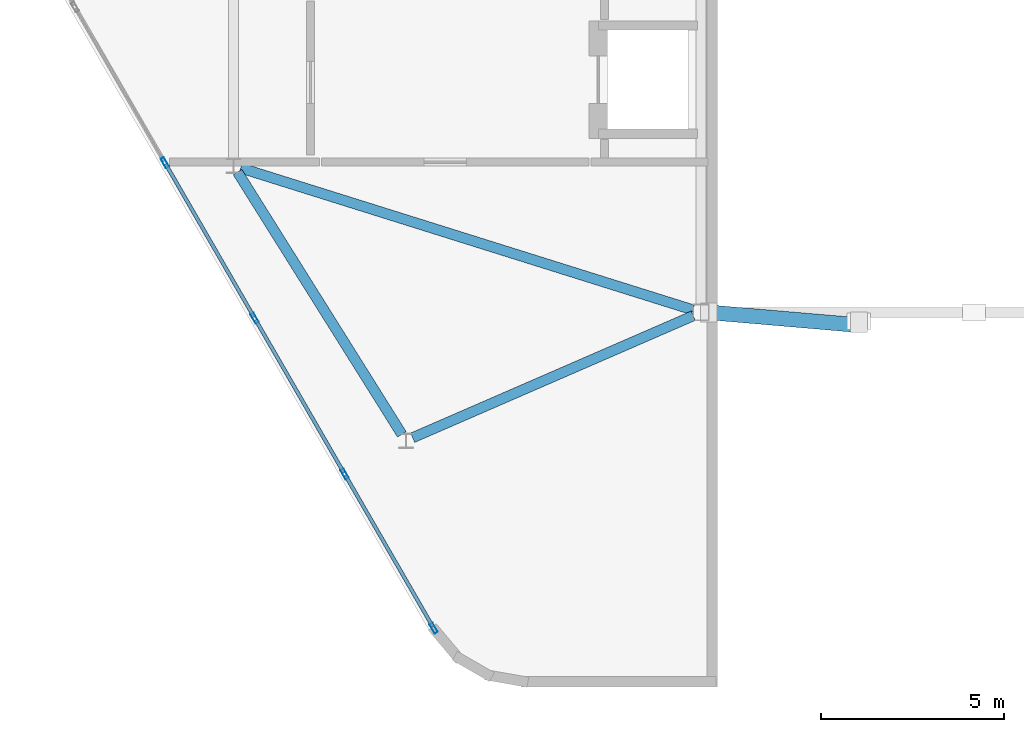
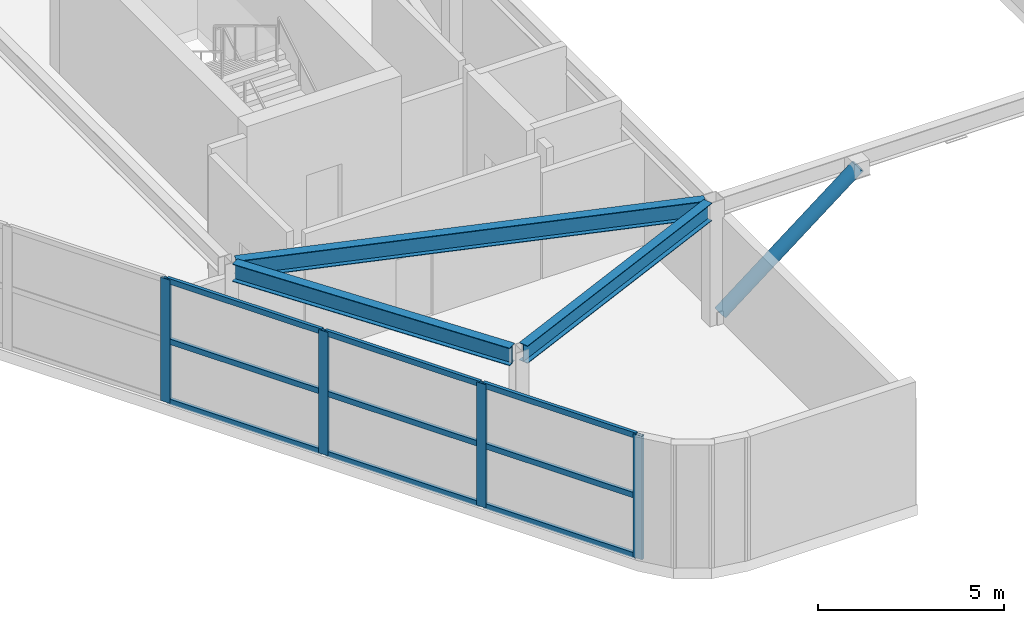
# One storey, part 3 of 16: 14 members, 3 beams, 1 element without a shape of its own.
"""IFC4 building model written with IfcOpenShell, lengths in metres."""

from ifc_helpers import new_model, si_unit, direction, frame, origin, origin_2d, place, context, subcontext, project, spatial, hollow_rectangle, hollow_circle, i_section, extrude, material, material_profile, profile_set, type_object, element, aggregate, save


model = new_model("IFC4")

# Units and contexts
model_context = context("Model", 3, precision=1e-05, world=origin(), true_north=direction((0.0, 1.0)))
body_context = subcontext(model_context, "Body", "Model", "MODEL_VIEW")
ifc_project = project(units=[si_unit("LENGTHUNIT", "METRE"), si_unit("AREAUNIT", "SQUARE_METRE"), si_unit("VOLUMEUNIT", "CUBIC_METRE"), si_unit("PLANEANGLEUNIT", "RADIAN"), si_unit("MASSUNIT", "GRAM", prefix="KILO")], contexts=[model_context])

# Site, building, storey
site_placement = place(None, origin())
site = spatial("IfcSite", under=ifc_project, at=site_placement, CompositionType="ELEMENT")
building_placement = place(site_placement, origin())
building = spatial("IfcBuilding", under=site, at=building_placement, Name="Zuhravey Tower", CompositionType="ELEMENT")
storey_placement = place(building_placement, frame((0.0, 0.0, 365.800048828125)))
storey = spatial("IfcBuildingStorey", under=building, at=storey_placement, Name="L93", CompositionType="ELEMENT", Elevation=365.800048828125)

# Curtain wall, members
ifc_material_1 = material(Name="Thermally broken anodised aluminium", Category="aluminium")
curtain_wall_type = type_object("IfcCurtainWallType", Name="Split-Top Crown Screened Curtain Wall CW6", PredefinedType="NOTDEFINED", material=ifc_material_1)
curtain_wall_placement = place(storey_placement, origin())
curtain_wall = element("IfcCurtainWall", 1, at=curtain_wall_placement, inside=storey, type_object=curtain_wall_type, Name="L93 CW6 CW6-L93-WEST-04", PredefinedType="NOTDEFINED")
ifc_material_2 = material(Name="Anodised aluminium", Category="aluminium")
ifc_material_profile_1 = material_profile(ifc_material_2, hollow_rectangle(XDim=0.10009765625, YDim=0.2900390625, WallThickness=0.006103515625, at=origin_2d()), Name="ALU-RHS-100x290x6")
ifc_profile_set_1 = profile_set([ifc_material_profile_1], Name="Anodised aluminium")
member_type_1 = type_object("IfcMemberType", Name="Heavy Tall-Storey Mullion 100x220", PredefinedType="MULLION", material=ifc_profile_set_1)
member_1_placement = place(storey_placement, frame((21.258544921875, 9.384765625, 0.0), z_axis=(0.0, 0.0, 1.0), x_axis=(-0.866027063754, -0.499997124838, 0.0)))
member_1 = element("IfcMember", 2, at=member_1_placement, type_object=member_type_1, Name="CW6 mullion 1", PredefinedType="MULLION", context=body_context, shape_type="SweptSolid", body=[
    extrude(hollow_rectangle(XDim=0.10009765625, YDim=0.2900390625, WallThickness=0.006103515625, at=origin_2d()), origin(), (0.0, 0.0, 1.0), 4.050048828125),
])
member_2_placement = place(storey_placement, frame((18.83056640625, 13.590087890625, 0.0), z_axis=(0.0, 0.0, 1.0), x_axis=(-0.866027063754, -0.499997124838, 0.0)))
member_2 = element("IfcMember", 3, at=member_2_placement, type_object=member_type_1, Name="CW6 mullion 2", PredefinedType="MULLION", context=body_context, shape_type="SweptSolid", body=[
    extrude(hollow_rectangle(XDim=0.10009765625, YDim=0.2900390625, WallThickness=0.006103515625, at=origin_2d()), origin(), (0.0, 0.0, 1.0), 4.050048828125),
])
member_3_placement = place(storey_placement, frame((16.377685546875, 17.838623046875, 0.0), z_axis=(0.0, 0.0, 1.0), x_axis=(-0.866027063754, -0.499997124838, 0.0)))
member_3 = element("IfcMember", 4, at=member_3_placement, type_object=member_type_1, Name="CW6 mullion 3", PredefinedType="MULLION", context=body_context, shape_type="SweptSolid", body=[
    extrude(hollow_rectangle(XDim=0.10009765625, YDim=0.2900390625, WallThickness=0.006103515625, at=origin_2d()), origin(), (0.0, 0.0, 1.0), 4.050048828125),
])
member_4_placement = place(storey_placement, frame((13.9248046875, 22.087158203125, 0.0), z_axis=(0.0, 0.0, 1.0), x_axis=(-0.866027063754, -0.499997124838, 0.0)))
member_4 = element("IfcMember", 5, at=member_4_placement, type_object=member_type_1, Name="CW6 mullion 4", PredefinedType="MULLION", context=body_context, shape_type="SweptSolid", body=[
    extrude(hollow_rectangle(XDim=0.10009765625, YDim=0.2900390625, WallThickness=0.006103515625, at=origin_2d()), origin(), (0.0, 0.0, 1.0), 4.050048828125),
])

# Beams
ifc_material_3 = material(Name="Steel SM355", Category="steel")
ifc_material_profile_2 = material_profile(ifc_material_3, i_section(OverallWidth=0.280029296875, OverallDepth=0.580078125, WebThickness=0.011962890625, FlangeThickness=0.01904296875, at=origin_2d()), Name="H-580x280x12x19")
ifc_profile_set_2 = profile_set([ifc_material_profile_2], Name="Steel SM355")
beam_type = type_object("IfcBeamType", Name="Perimeter Ring Beam H580x280", PredefinedType="BEAM", material=ifc_profile_set_2)
beam_1_placement = place(storey_placement, frame((15.908447265625, 21.8271484375, 3.760009765625), z_axis=(0.530996685116, -0.847373896457, 0.0), x_axis=(0.847373896457, 0.530996685116, 0.0)))
element("IfcBeam", 6, at=beam_1_placement, inside=storey, type_object=beam_type, Name="L93 PB4 BM-L93-WCR-0-2", PredefinedType="BEAM", context=body_context, shape_type="SweptSolid", body=[
    extrude(i_section(OverallWidth=0.280029296875, OverallDepth=0.580078125, WebThickness=0.011962890625, FlangeThickness=0.01904296875, at=origin_2d()), origin(), (0.0, 0.0, 1.0), 8.44287109375),
])
beam_2_placement = place(storey_placement, frame((20.68701171875, 14.581298828125, 3.760009765625), z_axis=(0.91707145158, 0.398722902147, 0.0), x_axis=(-0.398722902147, 0.91707145158, 0.0)))
element("IfcBeam", 7, at=beam_2_placement, inside=storey, type_object=beam_type, Name="L93 PB4 BM-L93-WCR-2-4", PredefinedType="BEAM", context=body_context, shape_type="SweptSolid", body=[
    extrude(i_section(OverallWidth=0.280029296875, OverallDepth=0.580078125, WebThickness=0.011962890625, FlangeThickness=0.01904296875, at=origin_2d()), origin(), (0.0, 0.0, 1.0), 8.34521484375),
])
beam_3_placement = place(storey_placement, frame((15.99462890625, 21.93896484375, 3.760009765625), z_axis=(0.954147439285, -0.299337040984, 0.0), x_axis=(0.299337040984, 0.954147439285, 0.0)))
element("IfcBeam", 8, at=beam_3_placement, inside=storey, type_object=beam_type, Name="L93 PB4 BM-L93-WCR-0-4", PredefinedType="BEAM", context=body_context, shape_type="SweptSolid", body=[
    extrude(i_section(OverallWidth=0.280029296875, OverallDepth=0.580078125, WebThickness=0.011962890625, FlangeThickness=0.01904296875, at=origin_2d()), origin(), (0.0, 0.0, 1.0), 12.9296875),
])

# Member
ifc_material_profile_3 = material_profile(ifc_material_2, hollow_rectangle(XDim=0.10009765625, YDim=0.179931640625, WallThickness=0.006103515625, at=origin_2d()), Name="ALU-RHS-100x180x6")
ifc_profile_set_3 = profile_set([ifc_material_profile_3], Name="Anodised aluminium")
member_type_2 = type_object("IfcMemberType", Name="Tall-Storey Transom 100x180", PredefinedType="USERDEFINED", material=ifc_profile_set_3)
member_5_placement = place(storey_placement, frame((21.2333984375, 9.42822265625, 0.050048828125), z_axis=(-0.499965384433, 0.866045388169, 0.0), x_axis=(-0.866045388169, -0.499965384433, 0.0)))
member_5 = element("IfcMember", 9, at=member_5_placement, type_object=member_type_2, Name="CW6 transom 1.1", ObjectType="TRANSOM", PredefinedType="USERDEFINED", context=body_context, shape_type="SweptSolid", body=[
    extrude(hollow_rectangle(XDim=0.10009765625, YDim=0.179931640625, WallThickness=0.006103515625, at=origin_2d()), origin(), (0.0, 0.0, 1.0), 4.755615234375),
])

member_6_placement = place(storey_placement, frame((21.2333984375, 9.42822265625, 2.02490234375), z_axis=(-0.499965384433, 0.866045388169, 0.0), x_axis=(-0.866045388169, -0.499965384433, 0.0)))
member_6 = element("IfcMember", 10, at=member_6_placement, type_object=member_type_2, Name="CW6 transom 1.2", ObjectType="TRANSOM", PredefinedType="USERDEFINED", context=body_context, shape_type="SweptSolid", body=[
    extrude(hollow_rectangle(XDim=0.10009765625, YDim=0.179931640625, WallThickness=0.006103515625, at=origin_2d()), origin(), (0.0, 0.0, 1.0), 4.755615234375),
])

member_7_placement = place(storey_placement, frame((21.2333984375, 9.42822265625, 4.0), z_axis=(-0.499965384433, 0.866045388169, 0.0), x_axis=(-0.866045388169, -0.499965384433, 0.0)))
member_7 = element("IfcMember", 11, at=member_7_placement, type_object=member_type_2, Name="CW6 transom 1.3", ObjectType="TRANSOM", PredefinedType="USERDEFINED", context=body_context, shape_type="SweptSolid", body=[
    extrude(hollow_rectangle(XDim=0.10009765625, YDim=0.179931640625, WallThickness=0.006103515625, at=origin_2d()), origin(), (0.0, 0.0, 1.0), 4.755615234375),
])

member_8_placement = place(storey_placement, frame((18.8056640625, 13.63330078125, 0.050048828125), z_axis=(-0.500012672123, 0.866018087407, 0.0), x_axis=(-0.866018087407, -0.500012672123, 0.0)))
member_8 = element("IfcMember", 12, at=member_8_placement, type_object=member_type_2, Name="CW6 transom 2.1", ObjectType="TRANSOM", PredefinedType="USERDEFINED", context=body_context, shape_type="SweptSolid", body=[
    extrude(hollow_rectangle(XDim=0.10009765625, YDim=0.179931640625, WallThickness=0.006103515625, at=origin_2d()), origin(), (0.0, 0.0, 1.0), 4.80615234375),
])

member_9_placement = place(storey_placement, frame((18.8056640625, 13.63330078125, 2.02490234375), z_axis=(-0.500012672123, 0.866018087407, 0.0), x_axis=(-0.866018087407, -0.500012672123, 0.0)))
member_9 = element("IfcMember", 13, at=member_9_placement, type_object=member_type_2, Name="CW6 transom 2.2", ObjectType="TRANSOM", PredefinedType="USERDEFINED", context=body_context, shape_type="SweptSolid", body=[
    extrude(hollow_rectangle(XDim=0.10009765625, YDim=0.179931640625, WallThickness=0.006103515625, at=origin_2d()), origin(), (0.0, 0.0, 1.0), 4.80615234375),
])

member_10_placement = place(storey_placement, frame((18.8056640625, 13.63330078125, 4.0), z_axis=(-0.500012672123, 0.866018087407, 0.0), x_axis=(-0.866018087407, -0.500012672123, 0.0)))
member_10 = element("IfcMember", 14, at=member_10_placement, type_object=member_type_2, Name="CW6 transom 2.3", ObjectType="TRANSOM", PredefinedType="USERDEFINED", context=body_context, shape_type="SweptSolid", body=[
    extrude(hollow_rectangle(XDim=0.10009765625, YDim=0.179931640625, WallThickness=0.006103515625, at=origin_2d()), origin(), (0.0, 0.0, 1.0), 4.80615234375),
])

member_11_placement = place(storey_placement, frame((16.352783203125, 17.882080078125, 0.050048828125), z_axis=(-0.50003466983, 0.866005386223, 0.0), x_axis=(-0.866005386223, -0.50003466983, 0.0)))
member_11 = element("IfcMember", 15, at=member_11_placement, type_object=member_type_2, Name="CW6 transom 3.1", ObjectType="TRANSOM", PredefinedType="USERDEFINED", context=body_context, shape_type="SweptSolid", body=[
    extrude(hollow_rectangle(XDim=0.10009765625, YDim=0.179931640625, WallThickness=0.006103515625, at=origin_2d()), origin(), (0.0, 0.0, 1.0), 4.805908203125),
])

member_12_placement = place(storey_placement, frame((16.352783203125, 17.882080078125, 2.02490234375), z_axis=(-0.50003466983, 0.866005386223, 0.0), x_axis=(-0.866005386223, -0.50003466983, 0.0)))
member_12 = element("IfcMember", 16, at=member_12_placement, type_object=member_type_2, Name="CW6 transom 3.2", ObjectType="TRANSOM", PredefinedType="USERDEFINED", context=body_context, shape_type="SweptSolid", body=[
    extrude(hollow_rectangle(XDim=0.10009765625, YDim=0.179931640625, WallThickness=0.006103515625, at=origin_2d()), origin(), (0.0, 0.0, 1.0), 4.805908203125),
])

member_13_placement = place(storey_placement, frame((16.352783203125, 17.882080078125, 4.0), z_axis=(-0.50003466983, 0.866005386223, 0.0), x_axis=(-0.866005386223, -0.50003466983, 0.0)))
member_13 = element("IfcMember", 17, at=member_13_placement, type_object=member_type_2, Name="CW6 transom 3.3", ObjectType="TRANSOM", PredefinedType="USERDEFINED", context=body_context, shape_type="SweptSolid", body=[
    extrude(hollow_rectangle(XDim=0.10009765625, YDim=0.179931640625, WallThickness=0.006103515625, at=origin_2d()), origin(), (0.0, 0.0, 1.0), 4.805908203125),
])

aggregate(curtain_wall, [member_1, member_2, member_3, member_4, member_5, member_6, member_7, member_8, member_9, member_10, member_11, member_12, member_13])

ifc_material_profile_4 = material_profile(ifc_material_3, hollow_circle(Radius=0.203125, WallThickness=0.02001953125, at=origin_2d()), Name="CHS-406.4x20")
ifc_profile_set_4 = profile_set([ifc_material_profile_4], Name="Steel SM355")
member_type_3 = type_object("IfcMemberType", Name="Wind-Portal Arch Brace CHS406x20", PredefinedType="BRACE", material=ifc_profile_set_4)
member_14_placement = place(storey_placement, frame((28.780517578125, 17.999755859375, 0.18115234375), z_axis=(0.747100108009, -0.063850111259, 0.661637810214), x_axis=(0.085153511528, 0.996367843457, 0.0)))
element("IfcMember", 18, at=member_14_placement, inside=storey, type_object=member_type_3, Name="L93 Wind-Portal Arch Brace WPB1-1W", PredefinedType="BRACE", context=body_context, shape_type="SweptSolid", body=[
    extrude(hollow_circle(Radius=0.203125, WallThickness=0.02001953125, at=origin_2d()), origin(), (0.0, 0.0, 1.0), 5.44482421875),
])

save(model, "model.ifc")
